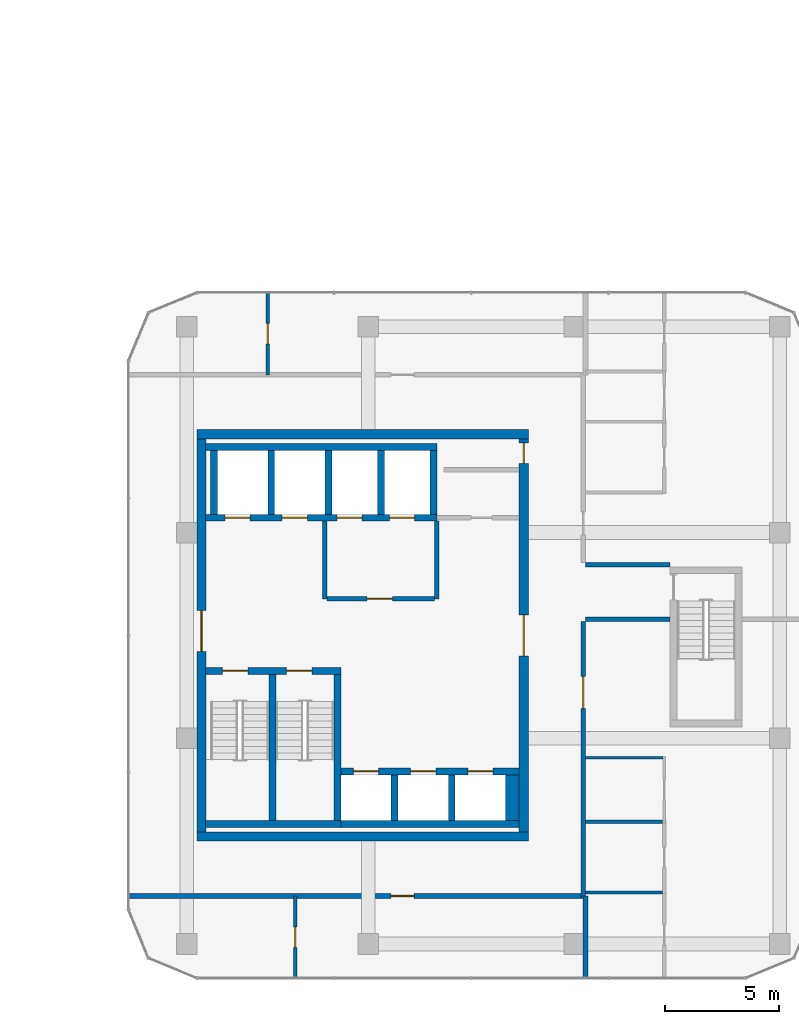
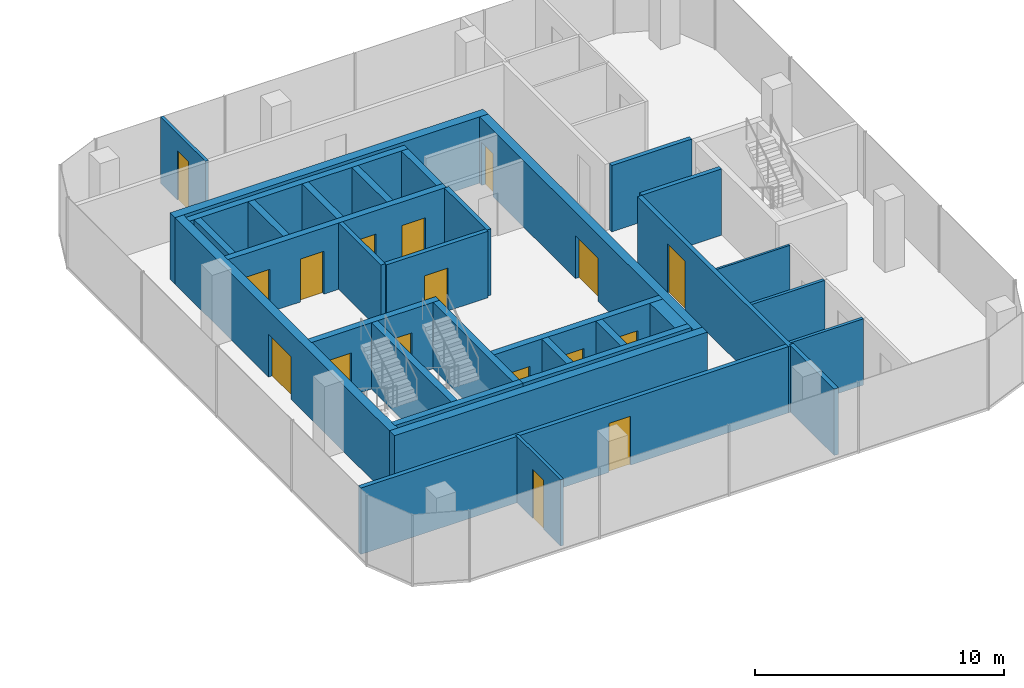
# One storey, part 17 of 22: 33 walls, 17 doors, 17 openings.
"""IFC4 building model written with IfcOpenShell, lengths in metres."""

from ifc_helpers import new_model, si_unit, direction, frame, frame_2d, origin, place, context, subcontext, project, spatial, rectangle, extrude, material, layer, layer_set, type_object, element, fill, save


model = new_model("IFC4")

# Units and contexts
model_context = context("Model", 3, precision=1e-05, world=origin(), true_north=direction((0.0, 1.0)))
body_context = subcontext(model_context, "Body", "Model", "MODEL_VIEW")
ifc_project = project(units=[si_unit("LENGTHUNIT", "METRE"), si_unit("AREAUNIT", "SQUARE_METRE"), si_unit("VOLUMEUNIT", "CUBIC_METRE"), si_unit("PLANEANGLEUNIT", "RADIAN"), si_unit("MASSUNIT", "GRAM", prefix="KILO")], contexts=[model_context])

# Site, building, storey
site_placement = place(None, origin())
site = spatial("IfcSite", under=ifc_project, at=site_placement, CompositionType="ELEMENT")
building_placement = place(site_placement, origin())
building = spatial("IfcBuilding", under=site, at=building_placement, Name="Plateau Cross Towers", CompositionType="ELEMENT")
storey_placement = place(building_placement, frame((0.0, 0.0, 99.300048828125)))
storey = spatial("IfcBuildingStorey", under=building, at=storey_placement, Name="L25", CompositionType="ELEMENT", Elevation=99.300048828125)

# Wall
ifc_material_1 = material(Name="Concrete block, plastered both sides", Category="concrete")
ifc_layer_1 = layer(ifc_material_1, 0.199951171875)
ifc_layer_set_1 = layer_set([ifc_layer_1], Name="Concrete block, plastered both sides")
wall_type_1 = type_object("IfcWallType", Name="Core partition 200", PredefinedType="PARTITIONING", material=ifc_layer_set_1)
wall_1_placement = place(storey_placement, frame((80.60009765625, 10.60009765625, 0.0), z_axis=(0.0, 0.0, 1.0), x_axis=(0.0, 1.0, 0.0)))
element("IfcWall", 1, at=wall_1_placement, inside=storey, type_object=wall_type_1, Name="Core partition", PredefinedType="PARTITIONING", context=body_context, shape_type="SweptSolid", body=[
    extrude(rectangle(XDim=3.39990234375, YDim=0.199951171875, at=frame_2d((1.699951171875, 0.0))), origin(), (0.0, 0.0, 1.0), 3.25),
])

# Wall, opening, door
wall_2_placement = place(storey_placement, frame((80.699951171875, 10.60009765625, 0.0), z_axis=(0.0, 0.0, 1.0), x_axis=(1.0, 0.0, 0.0)))
wall_2 = element("IfcWall", 2, at=wall_2_placement, inside=storey, type_object=wall_type_1, Name="Core partition", PredefinedType="PARTITIONING", context=body_context, shape_type="SweptSolid", body=[
    extrude(rectangle(XDim=4.699951171875, YDim=0.199951171875, at=frame_2d((2.35009765625, 0.0))), origin(), (0.0, 0.0, 1.0), 3.25),
])
opening_1_placement = place(wall_2_placement, frame((1.75, 0.0, 0.0)))
opening_1 = element("IfcOpeningElement", 3, at=opening_1_placement, cuts=wall_2, Name="Opening FFD", PredefinedType="OPENING", context=body_context, shape_type="SweptSolid", body=[
    extrude(rectangle(XDim=1.10009765625, YDim=2.10009765625, at=frame_2d((0.550048828125, 1.050048828125))), frame((0.0, 0.10986328125, 0.0), z_axis=(0.0, -1.0, 0.0), x_axis=(1.0, 0.0, 0.0)), (0.0, 0.0, 1.0), 0.219970703125),
])
ifc_material_2 = material(Name="Steel, fire-resisting leaf", Category="steel")
door_type_1 = type_object("IfcDoorType", Name="Firefighting lobby door 1100", OperationType="NOTDEFINED", PredefinedType="DOOR", material=ifc_material_2)
door_1_placement = place(opening_1_placement, origin())
door_1 = element("IfcDoor", 4, at=door_1_placement, inside=storey, type_object=door_type_1, Name="Firefighting lobby door FFD", OperationType="SINGLE_SWING_LEFT", OverallHeight=2.10009765625, OverallWidth=1.10009765625, PredefinedType="DOOR", context=body_context, shape_type="SweptSolid", body=[
    extrude(rectangle(XDim=1.10009765625, YDim=2.10009765625, at=frame_2d((0.550048828125, 1.050048828125))), frame((0.0, 0.02490234375, 0.0), z_axis=(0.0, -1.0, 0.0), x_axis=(1.0, 0.0, 0.0)), (0.0, 0.0, 1.0), 0.050048828125),
])
fill(opening_1, door_1)

# Walls
wall_3_placement = place(storey_placement, frame((85.5, 10.60009765625, 0.0), z_axis=(0.0, 0.0, 1.0), x_axis=(0.0, 1.0, 0.0)))
element("IfcWall", 5, at=wall_3_placement, inside=storey, type_object=wall_type_1, Name="Core partition", PredefinedType="PARTITIONING", context=body_context, shape_type="SweptSolid", body=[
    extrude(rectangle(XDim=3.39990234375, YDim=0.199951171875, at=frame_2d((1.699951171875, 0.0))), origin(), (0.0, 0.0, 1.0), 3.25),
])
ifc_material_3 = material(Name="Concrete C60/75", Category="concrete")
ifc_layer_2 = layer(ifc_material_3, 0.300048828125)
ifc_layer_set_2 = layer_set([ifc_layer_2], Name="Concrete C60/75")
wall_type_2 = type_object("IfcWallType", Name="Core shaft wall 300", PredefinedType="SHEAR", material=ifc_layer_set_2)
wall_4_placement = place(storey_placement, frame((75.3798828125, 0.75, 0.0), z_axis=(0.0, 0.0, 1.0), x_axis=(1.0, 0.0, 0.0)))
element("IfcWall", 6, at=wall_4_placement, inside=storey, type_object=wall_type_2, Name="B-sb-stS@L25", PredefinedType="SHEAR", context=body_context, shape_type="SweptSolid", body=[
    extrude(rectangle(XDim=5.920166015625, YDim=0.300048828125, at=frame_2d((2.9599609375, 0.0))), origin(), (0.0, 0.0, 1.0), 3.25),
])

# Wall, openings, doors
wall_5_placement = place(storey_placement, frame((75.3798828125, 7.449951171875, 0.0), z_axis=(0.0, 0.0, 1.0), x_axis=(1.0, 0.0, 0.0)))
wall_5 = element("IfcWall", 7, at=wall_5_placement, inside=storey, type_object=wall_type_2, Name="B-sb-stN@L25", PredefinedType="SHEAR", context=body_context, shape_type="SweptSolid", body=[
    extrude(rectangle(XDim=5.920166015625, YDim=0.300048828125, at=frame_2d((2.9599609375, 0.0))), origin(), (0.0, 0.0, 1.0), 3.25),
])
opening_2_placement = place(wall_5_placement, frame((0.75, 0.0, 0.0)))
opening_2 = element("IfcOpeningElement", 8, at=opening_2_placement, cuts=wall_5, Name="Opening SD", PredefinedType="OPENING", context=body_context, shape_type="SweptSolid", body=[
    extrude(rectangle(XDim=1.10009765625, YDim=2.10009765625, at=frame_2d((0.550048828125, 1.050048828125))), frame((0.0, 0.159912109375, 0.0), z_axis=(0.0, -1.0, 0.0), x_axis=(1.0, 0.0, 0.0)), (0.0, 0.0, 1.0), 0.320068359375),
])
opening_3_placement = place(wall_5_placement, frame((3.550048828125, 0.0, 0.0)))
opening_3 = element("IfcOpeningElement", 9, at=opening_3_placement, cuts=wall_5, Name="Opening SD", PredefinedType="OPENING", context=body_context, shape_type="SweptSolid", body=[
    extrude(rectangle(XDim=1.10009765625, YDim=2.10009765625, at=frame_2d((0.550048828125, 1.050048828125))), frame((0.0, 0.159912109375, 0.0), z_axis=(0.0, -1.0, 0.0), x_axis=(1.0, 0.0, 0.0)), (0.0, 0.0, 1.0), 0.320068359375),
])
door_type_2 = type_object("IfcDoorType", Name="Stair door 1100", OperationType="NOTDEFINED", PredefinedType="DOOR", material=ifc_material_2)
door_2_placement = place(opening_2_placement, origin())
door_2 = element("IfcDoor", 10, at=door_2_placement, inside=storey, type_object=door_type_2, Name="Stair door SD", OperationType="SINGLE_SWING_RIGHT", OverallHeight=2.10009765625, OverallWidth=1.10009765625, PredefinedType="DOOR", context=body_context, shape_type="SweptSolid", body=[
    extrude(rectangle(XDim=1.10009765625, YDim=2.10009765625, at=frame_2d((0.550048828125, 1.050048828125))), frame((0.0, 0.02490234375, 0.0), z_axis=(0.0, -1.0, 0.0), x_axis=(1.0, 0.0, 0.0)), (0.0, 0.0, 1.0), 0.050048828125),
])
fill(opening_2, door_2)
door_3_placement = place(opening_3_placement, origin())
door_3 = element("IfcDoor", 11, at=door_3_placement, inside=storey, type_object=door_type_2, Name="Stair door SD", OperationType="SINGLE_SWING_LEFT", OverallHeight=2.10009765625, OverallWidth=1.10009765625, PredefinedType="DOOR", context=body_context, shape_type="SweptSolid", body=[
    extrude(rectangle(XDim=1.10009765625, YDim=2.10009765625, at=frame_2d((0.550048828125, 1.050048828125))), frame((0.0, 0.02490234375, 0.0), z_axis=(0.0, -1.0, 0.0), x_axis=(1.0, 0.0, 0.0)), (0.0, 0.0, 1.0), 0.050048828125),
])
fill(opening_3, door_3)

# Walls
for number, where, z_axis, x_axis, name in (
    (12, (78.300048828125, 0.89990234375, 0.0), (0.0, 0.0, 1.0), (0.0, 1.0, 0.0), "B-sb-st1@L25"),
    (13, (81.14990234375, 0.89990234375, 0.0), (0.0, 0.0, 1.0), (0.0, 1.0, 0.0), "B-sb-st2@L25"),
):
    element("IfcWall", number, at=place(storey_placement, frame(where, z_axis=z_axis, x_axis=x_axis)), inside=storey, type_object=wall_type_2, Name=name, PredefinedType="SHEAR", context=body_context, shape_type="SweptSolid", body=[
        extrude(rectangle(XDim=6.400146484375, YDim=0.300048828125, at=frame_2d((3.2001953125, 0.0))), origin(), (0.0, 0.0, 1.0), 3.25),
    ])
wall_6_placement = place(storey_placement, frame((81.300048828125, 0.75, 0.0), z_axis=(0.0, 0.0, 1.0), x_axis=(1.0, 0.0, 0.0)))
element("IfcWall", 14, at=wall_6_placement, inside=storey, type_object=wall_type_2, Name="B-sb-back@L25", PredefinedType="SHEAR", context=body_context, shape_type="SweptSolid", body=[
    extrude(rectangle(XDim=7.800048828125, YDim=0.300048828125, at=frame_2d((3.89990234375, 0.0))), origin(), (0.0, 0.0, 1.0), 3.25),
])
for number, where, z_axis, x_axis, name in (
    (15, (83.64990234375, 0.89990234375, 0.0), (0.0, 0.0, 1.0), (0.0, 1.0, 0.0), "B-sb-v1@L25"),
    (16, (86.14990234375, 0.89990234375, 0.0), (0.0, 0.0, 1.0), (0.0, 1.0, 0.0), "B-sb-v2@L25"),
):
    element("IfcWall", number, at=place(storey_placement, frame(where, z_axis=z_axis, x_axis=x_axis)), inside=storey, type_object=wall_type_2, Name=name, PredefinedType="SHEAR", context=body_context, shape_type="SweptSolid", body=[
        extrude(rectangle(XDim=2.0, YDim=0.300048828125, at=frame_2d((1.0, 0.0))), origin(), (0.0, 0.0, 1.0), 3.25),
    ])

# Wall, openings, doors
wall_7_placement = place(storey_placement, frame((81.300048828125, 3.050048828125, 0.0), z_axis=(0.0, 0.0, 1.0), x_axis=(1.0, 0.0, 0.0)))
wall_7 = element("IfcWall", 17, at=wall_7_placement, inside=storey, type_object=wall_type_2, Name="B-sb-front@L25", PredefinedType="SHEAR", context=body_context, shape_type="SweptSolid", body=[
    extrude(rectangle(XDim=7.800048828125, YDim=0.300048828125, at=frame_2d((3.89990234375, 0.0))), origin(), (0.0, 0.0, 1.0), 3.25),
])
opening_4_placement = place(wall_7_placement, frame((0.550048828125, 0.0, 0.0)))
opening_4 = element("IfcOpeningElement", 18, at=opening_4_placement, cuts=wall_7, Name="Opening LD", PredefinedType="OPENING", context=body_context, shape_type="SweptSolid", body=[
    extrude(rectangle(XDim=1.10009765625, YDim=2.10009765625, at=frame_2d((0.550048828125, 1.050048828125))), frame((0.0, 0.159912109375, 0.0), z_axis=(0.0, -1.0, 0.0), x_axis=(1.0, 0.0, 0.0)), (0.0, 0.0, 1.0), 0.320068359375),
])
opening_5_placement = place(wall_7_placement, frame((3.050048828125, 0.0, 0.0)))
opening_5 = element("IfcOpeningElement", 19, at=opening_5_placement, cuts=wall_7, Name="Opening LD", PredefinedType="OPENING", context=body_context, shape_type="SweptSolid", body=[
    extrude(rectangle(XDim=1.10009765625, YDim=2.10009765625, at=frame_2d((0.550048828125, 1.050048828125))), frame((0.0, 0.159912109375, 0.0), z_axis=(0.0, -1.0, 0.0), x_axis=(1.0, 0.0, 0.0)), (0.0, 0.0, 1.0), 0.320068359375),
])
opening_6_placement = place(wall_7_placement, frame((5.550048828125, 0.0, 0.0)))
opening_6 = element("IfcOpeningElement", 20, at=opening_6_placement, cuts=wall_7, Name="Opening LD", PredefinedType="OPENING", context=body_context, shape_type="SweptSolid", body=[
    extrude(rectangle(XDim=1.10009765625, YDim=2.10009765625, at=frame_2d((0.550048828125, 1.050048828125))), frame((0.0, 0.159912109375, 0.0), z_axis=(0.0, -1.0, 0.0), x_axis=(1.0, 0.0, 0.0)), (0.0, 0.0, 1.0), 0.320068359375),
])
ifc_material_4 = material(Name="Stainless steel, fire-resisting sliding leaves", Category="steel")
door_type_3 = type_object("IfcDoorType", Name="Lift landing door 1100", OperationType="NOTDEFINED", PredefinedType="DOOR", material=ifc_material_4)
door_4_placement = place(opening_4_placement, origin())
door_4 = element("IfcDoor", 21, at=door_4_placement, inside=storey, type_object=door_type_3, Name="Lift landing door LD", OperationType="DOUBLE_DOOR_SLIDING", OverallHeight=2.10009765625, OverallWidth=1.10009765625, PredefinedType="DOOR", context=body_context, shape_type="SweptSolid", body=[
    extrude(rectangle(XDim=1.10009765625, YDim=2.10009765625, at=frame_2d((0.550048828125, 1.050048828125))), frame((0.0, 0.02490234375, 0.0), z_axis=(0.0, -1.0, 0.0), x_axis=(1.0, 0.0, 0.0)), (0.0, 0.0, 1.0), 0.050048828125),
])
fill(opening_4, door_4)
door_5_placement = place(opening_5_placement, origin())
door_5 = element("IfcDoor", 22, at=door_5_placement, inside=storey, type_object=door_type_3, Name="Lift landing door LD", OperationType="DOUBLE_DOOR_SLIDING", OverallHeight=2.10009765625, OverallWidth=1.10009765625, PredefinedType="DOOR", context=body_context, shape_type="SweptSolid", body=[
    extrude(rectangle(XDim=1.10009765625, YDim=2.10009765625, at=frame_2d((0.550048828125, 1.050048828125))), frame((0.0, 0.02490234375, 0.0), z_axis=(0.0, -1.0, 0.0), x_axis=(1.0, 0.0, 0.0)), (0.0, 0.0, 1.0), 0.050048828125),
])
fill(opening_5, door_5)
door_6_placement = place(opening_6_placement, origin())
door_6 = element("IfcDoor", 23, at=door_6_placement, inside=storey, type_object=door_type_3, Name="Lift landing door LD", OperationType="DOUBLE_DOOR_SLIDING", OverallHeight=2.10009765625, OverallWidth=1.10009765625, PredefinedType="DOOR", context=body_context, shape_type="SweptSolid", body=[
    extrude(rectangle(XDim=1.10009765625, YDim=2.10009765625, at=frame_2d((0.550048828125, 1.050048828125))), frame((0.0, 0.02490234375, 0.0), z_axis=(0.0, -1.0, 0.0), x_axis=(1.0, 0.0, 0.0)), (0.0, 0.0, 1.0), 0.050048828125),
])
fill(opening_6, door_6)

# Wall
wall_8_placement = place(storey_placement, frame((75.3798828125, 17.25, 0.0), z_axis=(0.0, 0.0, 1.0), x_axis=(1.0, 0.0, 0.0)))
element("IfcWall", 24, at=wall_8_placement, inside=storey, type_object=wall_type_2, Name="B-nb-back@L25", PredefinedType="SHEAR", context=body_context, shape_type="SweptSolid", body=[
    extrude(rectangle(XDim=10.1201171875, YDim=0.300048828125, at=frame_2d((5.06005859375, 0.0))), origin(), (0.0, 0.0, 1.0), 3.25),
])

# Wall, openings, doors
wall_9_placement = place(storey_placement, frame((75.3798828125, 14.14990234375, 0.0), z_axis=(0.0, 0.0, 1.0), x_axis=(1.0, 0.0, 0.0)))
wall_9 = element("IfcWall", 25, at=wall_9_placement, inside=storey, type_object=wall_type_2, Name="B-nb-front@L25", PredefinedType="SHEAR", context=body_context, shape_type="SweptSolid", body=[
    extrude(rectangle(XDim=10.1201171875, YDim=0.300048828125, at=frame_2d((5.06005859375, 0.0))), origin(), (0.0, 0.0, 1.0), 3.25),
])
opening_7_placement = place(wall_9_placement, frame((0.85009765625, 0.0, 0.0)))
opening_7 = element("IfcOpeningElement", 26, at=opening_7_placement, cuts=wall_9, Name="Opening LD", PredefinedType="OPENING", context=body_context, shape_type="SweptSolid", body=[
    extrude(rectangle(XDim=1.10009765625, YDim=2.10009765625, at=frame_2d((0.550048828125, 1.050048828125))), frame((0.0, 0.159912109375, 0.0), z_axis=(0.0, -1.0, 0.0), x_axis=(1.0, 0.0, 0.0)), (0.0, 0.0, 1.0), 0.320068359375),
])
opening_8_placement = place(wall_9_placement, frame((3.35009765625, 0.0, 0.0)))
opening_8 = element("IfcOpeningElement", 27, at=opening_8_placement, cuts=wall_9, Name="Opening LD", PredefinedType="OPENING", context=body_context, shape_type="SweptSolid", body=[
    extrude(rectangle(XDim=1.10009765625, YDim=2.10009765625, at=frame_2d((0.550048828125, 1.050048828125))), frame((0.0, 0.159912109375, 0.0), z_axis=(0.0, -1.0, 0.0), x_axis=(1.0, 0.0, 0.0)), (0.0, 0.0, 1.0), 0.320068359375),
])
opening_9_placement = place(wall_9_placement, frame((5.75, 0.0, 0.0)))
opening_9 = element("IfcOpeningElement", 28, at=opening_9_placement, cuts=wall_9, Name="Opening LD", PredefinedType="OPENING", context=body_context, shape_type="SweptSolid", body=[
    extrude(rectangle(XDim=1.10009765625, YDim=2.10009765625, at=frame_2d((0.550048828125, 1.050048828125))), frame((0.0, 0.159912109375, 0.0), z_axis=(0.0, -1.0, 0.0), x_axis=(1.0, 0.0, 0.0)), (0.0, 0.0, 1.0), 0.320068359375),
])
opening_10_placement = place(wall_9_placement, frame((8.050048828125, 0.0, 0.0)))
opening_10 = element("IfcOpeningElement", 29, at=opening_10_placement, cuts=wall_9, Name="Opening LD", PredefinedType="OPENING", context=body_context, shape_type="SweptSolid", body=[
    extrude(rectangle(XDim=1.10009765625, YDim=2.10009765625, at=frame_2d((0.550048828125, 1.050048828125))), frame((0.0, 0.159912109375, 0.0), z_axis=(0.0, -1.0, 0.0), x_axis=(1.0, 0.0, 0.0)), (0.0, 0.0, 1.0), 0.320068359375),
])
door_7_placement = place(opening_7_placement, origin())
door_7 = element("IfcDoor", 30, at=door_7_placement, inside=storey, type_object=door_type_3, Name="Lift landing door LD", OperationType="DOUBLE_DOOR_SLIDING", OverallHeight=2.10009765625, OverallWidth=1.10009765625, PredefinedType="DOOR", context=body_context, shape_type="SweptSolid", body=[
    extrude(rectangle(XDim=1.10009765625, YDim=2.10009765625, at=frame_2d((0.550048828125, 1.050048828125))), frame((0.0, 0.02490234375, 0.0), z_axis=(0.0, -1.0, 0.0), x_axis=(1.0, 0.0, 0.0)), (0.0, 0.0, 1.0), 0.050048828125),
])
fill(opening_7, door_7)
door_8_placement = place(opening_8_placement, origin())
door_8 = element("IfcDoor", 31, at=door_8_placement, inside=storey, type_object=door_type_3, Name="Lift landing door LD", OperationType="DOUBLE_DOOR_SLIDING", OverallHeight=2.10009765625, OverallWidth=1.10009765625, PredefinedType="DOOR", context=body_context, shape_type="SweptSolid", body=[
    extrude(rectangle(XDim=1.10009765625, YDim=2.10009765625, at=frame_2d((0.550048828125, 1.050048828125))), frame((0.0, 0.02490234375, 0.0), z_axis=(0.0, -1.0, 0.0), x_axis=(1.0, 0.0, 0.0)), (0.0, 0.0, 1.0), 0.050048828125),
])
fill(opening_8, door_8)
door_9_placement = place(opening_9_placement, origin())
door_9 = element("IfcDoor", 32, at=door_9_placement, inside=storey, type_object=door_type_3, Name="Lift landing door LD", OperationType="DOUBLE_DOOR_SLIDING", OverallHeight=2.10009765625, OverallWidth=1.10009765625, PredefinedType="DOOR", context=body_context, shape_type="SweptSolid", body=[
    extrude(rectangle(XDim=1.10009765625, YDim=2.10009765625, at=frame_2d((0.550048828125, 1.050048828125))), frame((0.0, 0.02490234375, 0.0), z_axis=(0.0, -1.0, 0.0), x_axis=(1.0, 0.0, 0.0)), (0.0, 0.0, 1.0), 0.050048828125),
])
fill(opening_9, door_9)
door_10_placement = place(opening_10_placement, origin())
door_10 = element("IfcDoor", 33, at=door_10_placement, inside=storey, type_object=door_type_3, Name="Lift landing door LD", OperationType="DOUBLE_DOOR_SLIDING", OverallHeight=2.10009765625, OverallWidth=1.10009765625, PredefinedType="DOOR", context=body_context, shape_type="SweptSolid", body=[
    extrude(rectangle(XDim=1.10009765625, YDim=2.10009765625, at=frame_2d((0.550048828125, 1.050048828125))), frame((0.0, 0.02490234375, 0.0), z_axis=(0.0, -1.0, 0.0), x_axis=(1.0, 0.0, 0.0)), (0.0, 0.0, 1.0), 0.050048828125),
])
fill(opening_10, door_10)

# Walls
for number, where, z_axis, x_axis, name in (
    (34, (75.75, 14.300048828125, 0.0), (0.0, 0.0, 1.0), (0.0, 1.0, 0.0), "B-nb-v0@L25"),
    (35, (78.25, 14.300048828125, 0.0), (0.0, 0.0, 1.0), (0.0, 1.0, 0.0), "B-nb-v1@L25"),
    (36, (80.75, 14.300048828125, 0.0), (0.0, 0.0, 1.0), (0.0, 1.0, 0.0), "B-nb-v2@L25"),
    (37, (83.050048828125, 14.300048828125, 0.0), (0.0, 0.0, 1.0), (0.0, 1.0, 0.0), "B-nb-v3@L25"),
    (38, (85.35009765625, 14.300048828125, 0.0), (0.0, 0.0, 1.0), (0.0, 1.0, 0.0), "B-nb-v4@L25"),
):
    element("IfcWall", number, at=place(storey_placement, frame(where, z_axis=z_axis, x_axis=x_axis)), inside=storey, type_object=wall_type_2, Name=name, PredefinedType="SHEAR", context=body_context, shape_type="SweptSolid", body=[
        extrude(rectangle(XDim=2.800048828125, YDim=0.300048828125, at=frame_2d((1.39990234375, 0.0))), origin(), (0.0, 0.0, 1.0), 3.25),
    ])
ifc_layer_3 = layer(ifc_material_3, 0.60009765625)
ifc_layer_set_3 = layer_set([ifc_layer_3], Name="Concrete C60/75")
wall_type_3 = type_object("IfcWallType", Name="Core shaft wall 600", PredefinedType="SHEAR", material=ifc_layer_set_3)
wall_10_placement = place(storey_placement, frame((88.800048828125, 0.89990234375, 0.0), z_axis=(0.0, 0.0, 1.0), x_axis=(0.0, 1.0, 0.0)))
element("IfcWall", 39, at=wall_10_placement, inside=storey, type_object=wall_type_3, Name="B-sb-v3@L25", PredefinedType="SHEAR", context=body_context, shape_type="SweptSolid", body=[
    extrude(rectangle(XDim=2.0, YDim=0.60009765625, at=frame_2d((1.0, 0.0))), origin(), (0.0, 0.0, 1.0), 3.25),
])
ifc_layer_4 = layer(ifc_material_3, 0.39990234375)
ifc_layer_set_4 = layer_set([ifc_layer_4], Name="Concrete C60/75")
wall_type_4 = type_object("IfcWallType", Name="Core shell wall 400", PredefinedType="SHEAR", material=ifc_layer_set_4)
for number, where, z_axis, x_axis, name in (
    (40, (75.0, 0.199951171875, 0.0), (0.0, 0.0, 1.0), (1.0, 0.0, 0.0), "B-core-S@L25"),
    (41, (75.0, 17.800048828125, 0.0), (0.0, 0.0, 1.0), (1.0, 0.0, 0.0), "B-core-N@L25"),
):
    element("IfcWall", number, at=place(storey_placement, frame(where, z_axis=z_axis, x_axis=x_axis)), inside=storey, type_object=wall_type_4, Name=name, PredefinedType="SHEAR", context=body_context, shape_type="SweptSolid", body=[
        extrude(rectangle(XDim=14.5, YDim=0.39990234375, at=frame_2d((7.25, 0.0))), origin(), (0.0, 0.0, 1.0), 3.25),
    ])

# Wall, opening, door
wall_11_placement = place(storey_placement, frame((75.199951171875, 0.39990234375, 0.0), z_axis=(0.0, 0.0, 1.0), x_axis=(0.0, 1.0, 0.0)))
wall_11 = element("IfcWall", 42, at=wall_11_placement, inside=storey, type_object=wall_type_4, Name="B-core-W@L25", PredefinedType="SHEAR", context=body_context, shape_type="SweptSolid", body=[
    extrude(rectangle(XDim=17.2001953125, YDim=0.39990234375, at=frame_2d((8.60009765625, 0.0))), origin(), (0.0, 0.0, 1.0), 3.25),
])
opening_11_placement = place(wall_11_placement, frame((7.89990234375, 0.0, 0.0)))
opening_11 = element("IfcOpeningElement", 43, at=opening_11_placement, cuts=wall_11, Name="Opening CD", PredefinedType="OPENING", context=body_context, shape_type="SweptSolid", body=[
    extrude(rectangle(XDim=1.800048828125, YDim=2.10009765625, at=frame_2d((0.89990234375, 1.050048828125))), frame((0.0, 0.2099609375, 0.0), z_axis=(0.0, -1.0, 0.0), x_axis=(1.0, 0.0, 0.0)), (0.0, 0.0, 1.0), 0.419921875),
])
ifc_material_5 = material(Name="Steel, fire-resisting leaves", Category="steel")
door_type_4 = type_object("IfcDoorType", Name="Corridor door pair 1800", OperationType="NOTDEFINED", PredefinedType="DOOR", material=ifc_material_5)
door_11_placement = place(opening_11_placement, origin())
door_11 = element("IfcDoor", 44, at=door_11_placement, inside=storey, type_object=door_type_4, Name="Corridor door pair CD", OperationType="DOUBLE_DOOR_SINGLE_SWING", OverallHeight=2.10009765625, OverallWidth=1.800048828125, PredefinedType="DOOR", context=body_context, shape_type="SweptSolid", body=[
    extrude(rectangle(XDim=1.800048828125, YDim=2.10009765625, at=frame_2d((0.89990234375, 1.050048828125))), frame((0.0, 0.02490234375, 0.0), z_axis=(0.0, -1.0, 0.0), x_axis=(1.0, 0.0, 0.0)), (0.0, 0.0, 1.0), 0.050048828125),
])
fill(opening_11, door_11)

# Wall, openings, doors
wall_12_placement = place(storey_placement, frame((89.300048828125, 0.39990234375, 0.0), z_axis=(0.0, 0.0, 1.0), x_axis=(0.0, 1.0, 0.0)))
wall_12 = element("IfcWall", 45, at=wall_12_placement, inside=storey, type_object=wall_type_4, Name="B-core-E@L25", PredefinedType="SHEAR", context=body_context, shape_type="SweptSolid", body=[
    extrude(rectangle(XDim=17.2001953125, YDim=0.39990234375, at=frame_2d((8.60009765625, 0.0))), origin(), (0.0, 0.0, 1.0), 3.25),
])
opening_12_placement = place(wall_12_placement, frame((7.699951171875, 0.0, 0.0)))
opening_12 = element("IfcOpeningElement", 46, at=opening_12_placement, cuts=wall_12, Name="Opening CD", PredefinedType="OPENING", context=body_context, shape_type="SweptSolid", body=[
    extrude(rectangle(XDim=1.800048828125, YDim=2.10009765625, at=frame_2d((0.89990234375, 1.050048828125))), frame((0.0, 0.2099609375, 0.0), z_axis=(0.0, -1.0, 0.0), x_axis=(1.0, 0.0, 0.0)), (0.0, 0.0, 1.0), 0.419921875),
])
opening_13_placement = place(wall_12_placement, frame((16.125, 0.0, 0.0)))
opening_13 = element("IfcOpeningElement", 47, at=opening_13_placement, cuts=wall_12, Name="Opening RD2", PredefinedType="OPENING", context=body_context, shape_type="SweptSolid", body=[
    extrude(rectangle(XDim=0.89990234375, YDim=2.10009765625, at=frame_2d((0.449951171875, 1.050048828125))), frame((0.0, 0.2099609375, 0.0), z_axis=(0.0, -1.0, 0.0), x_axis=(1.0, 0.0, 0.0)), (0.0, 0.0, 1.0), 0.419921875),
])
door_type_5 = type_object("IfcDoorType", Name="Core riser door 900", OperationType="NOTDEFINED", PredefinedType="DOOR", material=ifc_material_2)
door_12_placement = place(opening_13_placement, origin())
door_12 = element("IfcDoor", 48, at=door_12_placement, inside=storey, type_object=door_type_5, Name="Core riser door RD2", OperationType="SINGLE_SWING_LEFT", OverallHeight=2.10009765625, OverallWidth=0.89990234375, PredefinedType="DOOR", context=body_context, shape_type="SweptSolid", body=[
    extrude(rectangle(XDim=0.89990234375, YDim=2.10009765625, at=frame_2d((0.449951171875, 1.050048828125))), frame((0.0, 0.02490234375, 0.0), z_axis=(0.0, -1.0, 0.0), x_axis=(1.0, 0.0, 0.0)), (0.0, 0.0, 1.0), 0.050048828125),
])
fill(opening_13, door_12)
door_13_placement = place(opening_12_placement, origin())
door_13 = element("IfcDoor", 49, at=door_13_placement, inside=storey, type_object=door_type_4, Name="Corridor door pair CD", OperationType="DOUBLE_DOOR_SINGLE_SWING", OverallHeight=2.10009765625, OverallWidth=1.800048828125, PredefinedType="DOOR", context=body_context, shape_type="SweptSolid", body=[
    extrude(rectangle(XDim=1.800048828125, YDim=2.10009765625, at=frame_2d((0.89990234375, 1.050048828125))), frame((0.0, 0.02490234375, 0.0), z_axis=(0.0, -1.0, 0.0), x_axis=(1.0, 0.0, 0.0)), (0.0, 0.0, 1.0), 0.050048828125),
])
fill(opening_12, door_13)

# Wall, opening, door
ifc_material_6 = material(Name="Gypsum board on steel studs, two layers each side", Category="steel")
ifc_layer_5 = layer(ifc_material_6, 0.199951171875)
ifc_layer_set_5 = layer_set([ifc_layer_5], Name="Gypsum board on steel studs, two layers each side")
wall_type_5 = type_object("IfcWallType", Name="Corridor wall 200", PredefinedType="PARTITIONING", material=ifc_layer_set_5)
wall_13_placement = place(storey_placement, frame((72.0, -2.39990234375, 0.0), z_axis=(0.0, 0.0, 1.0), x_axis=(1.0, 0.0, 0.0)))
wall_13 = element("IfcWall", 50, at=wall_13_placement, inside=storey, type_object=wall_type_5, Name="Ring wall", PredefinedType="PARTITIONING", context=body_context, shape_type="SweptSolid", body=[
    extrude(rectangle(XDim=20.0, YDim=0.199951171875, at=frame_2d((10.0, 0.0))), origin(), (0.0, 0.0, 1.0), 3.25),
])
opening_14_placement = place(wall_13_placement, frame((11.5, 0.0, 0.0)))
opening_14 = element("IfcOpeningElement", 51, at=opening_14_placement, cuts=wall_13, Name="Opening D-BO10", PredefinedType="OPENING", context=body_context, shape_type="SweptSolid", body=[
    extrude(rectangle(XDim=1.0, YDim=2.39990234375, at=frame_2d((0.5, 1.199951171875))), frame((0.0, 0.10986328125, 0.0), z_axis=(0.0, -1.0, 0.0), x_axis=(1.0, 0.0, 0.0)), (0.0, 0.0, 1.0), 0.219970703125),
])
ifc_material_7 = material(Name="Fire-resisting glazed leaf in a steel frame", Category="steel")
door_type_6 = type_object("IfcDoorType", Name="Office glazed entrance leaf 1000x2400", OperationType="NOTDEFINED", PredefinedType="DOOR", material=ifc_material_7)
door_14_placement = place(opening_14_placement, origin())
door_14 = element("IfcDoor", 52, at=door_14_placement, inside=storey, type_object=door_type_6, Name="Door D-BO10", OperationType="SINGLE_SWING_LEFT", OverallHeight=2.39990234375, OverallWidth=1.0, PredefinedType="DOOR", context=body_context, shape_type="SweptSolid", body=[
    extrude(rectangle(XDim=1.0, YDim=2.39990234375, at=frame_2d((0.5, 1.199951171875))), frame((0.0, 0.02490234375, 0.0), z_axis=(0.0, -1.0, 0.0), x_axis=(1.0, 0.0, 0.0)), (0.0, 0.0, 1.0), 0.050048828125),
])
fill(opening_14, door_14)

wall_14_placement = place(storey_placement, frame((91.89990234375, -2.5, 0.0), z_axis=(0.0, 0.0, 1.0), x_axis=(0.0, 1.0, 0.0)))
wall_14 = element("IfcWall", 53, at=wall_14_placement, inside=storey, type_object=wall_type_5, Name="Ring wall", PredefinedType="PARTITIONING", context=body_context, shape_type="SweptSolid", body=[
    extrude(rectangle(XDim=12.10009765625, YDim=0.199951171875, at=frame_2d((6.050048828125, 0.0))), origin(), (0.0, 0.0, 1.0), 3.25),
])
opening_15_placement = place(wall_14_placement, frame((8.300048828125, 0.0, 0.0)))
opening_15 = element("IfcOpeningElement", 54, at=opening_15_placement, cuts=wall_14, Name="Opening D-BE14", PredefinedType="OPENING", context=body_context, shape_type="SweptSolid", body=[
    extrude(rectangle(XDim=1.39990234375, YDim=2.39990234375, at=frame_2d((0.699951171875, 1.199951171875))), frame((0.0, 0.10986328125, 0.0), z_axis=(0.0, -1.0, 0.0), x_axis=(1.0, 0.0, 0.0)), (0.0, 0.0, 1.0), 0.219970703125),
])
ifc_material_8 = material(Name="Timber, fire-resisting leaves", Category="wood")
door_type_7 = type_object("IfcDoorType", Name="Tenant entrance double-leaf 1400x2400", OperationType="NOTDEFINED", PredefinedType="DOOR", material=ifc_material_8)
door_15_placement = place(opening_15_placement, origin())
door_15 = element("IfcDoor", 55, at=door_15_placement, inside=storey, type_object=door_type_7, Name="Door D-BE14", OperationType="DOUBLE_DOOR_SINGLE_SWING", OverallHeight=2.39990234375, OverallWidth=1.39990234375, PredefinedType="DOOR", context=body_context, shape_type="SweptSolid", body=[
    extrude(rectangle(XDim=1.39990234375, YDim=2.39990234375, at=frame_2d((0.699951171875, 1.199951171875))), frame((0.0, 0.02490234375, 0.0), z_axis=(0.0, -1.0, 0.0), x_axis=(1.0, 0.0, 0.0)), (0.0, 0.0, 1.0), 0.050048828125),
])
fill(opening_15, door_15)

# Walls
for number, where, z_axis, x_axis, name in (
    (56, (92.0, 9.699951171875, 0.0), (0.0, 0.0, 1.0), (1.0, 0.0, 0.0), "Ring wall"),
    (57, (92.0, 12.10009765625, 0.0), (0.0, 0.0, 1.0), (1.0, 0.0, 0.0), "Ring wall"),
):
    element("IfcWall", number, at=place(storey_placement, frame(where, z_axis=z_axis, x_axis=x_axis)), inside=storey, type_object=wall_type_5, Name=name, PredefinedType="PARTITIONING", context=body_context, shape_type="SweptSolid", body=[
        extrude(rectangle(XDim=3.699951171875, YDim=0.199951171875, at=frame_2d((1.85009765625, 0.0))), origin(), (0.0, 0.0, 1.0), 3.25),
    ])

# Wall, opening, door
ifc_material_9 = material(Name="Gypsum board on staggered steel studs, mineral wool, two layers each side", Category="steel")
ifc_layer_6 = layer(ifc_material_9, 0.139892578125)
ifc_layer_set_6 = layer_set([ifc_layer_6], Name="Gypsum board on staggered steel studs, mineral wool, two layers each side")
wall_type_6 = type_object("IfcWallType", Name="Meeting room acoustic partition 140", PredefinedType="PARTITIONING", material=ifc_layer_set_6)
wall_15_placement = place(storey_placement, frame((79.300048828125, -6.0, 0.0), z_axis=(0.0, 0.0, 1.0), x_axis=(0.0, 1.0, 0.0)))
wall_15 = element("IfcWall", 58, at=wall_15_placement, inside=storey, type_object=wall_type_6, Name="Acoustic wall", PredefinedType="PARTITIONING", context=body_context, shape_type="SweptSolid", body=[
    extrude(rectangle(XDim=3.60009765625, YDim=0.139892578125, at=frame_2d((1.800048828125, 0.0))), origin(), (0.0, 0.0, 1.0), 3.25),
])
opening_16_placement = place(wall_15_placement, frame((1.35009765625, 0.0, 0.0)))
opening_16 = element("IfcOpeningElement", 59, at=opening_16_placement, cuts=wall_15, Name="Opening D-BM9", PredefinedType="OPENING", context=body_context, shape_type="SweptSolid", body=[
    extrude(rectangle(XDim=0.89990234375, YDim=2.39990234375, at=frame_2d((0.449951171875, 1.199951171875))), frame((0.0, 0.079833984375, 0.0), z_axis=(0.0, -1.0, 0.0), x_axis=(1.0, 0.0, 0.0)), (0.0, 0.0, 1.0), 0.159912109375),
])
ifc_material_10 = material(Name="Timber leaf, full height", Category="wood")
door_type_8 = type_object("IfcDoorType", Name="Meeting room door 900x2400", OperationType="NOTDEFINED", PredefinedType="DOOR", material=ifc_material_10)
door_16_placement = place(opening_16_placement, origin())
door_16 = element("IfcDoor", 60, at=door_16_placement, inside=storey, type_object=door_type_8, Name="Door D-BM9", OperationType="SINGLE_SWING_LEFT", OverallHeight=2.39990234375, OverallWidth=0.89990234375, PredefinedType="DOOR", context=body_context, shape_type="SweptSolid", body=[
    extrude(rectangle(XDim=0.89990234375, YDim=2.39990234375, at=frame_2d((0.449951171875, 1.199951171875))), frame((0.0, 0.02490234375, 0.0), z_axis=(0.0, -1.0, 0.0), x_axis=(1.0, 0.0, 0.0)), (0.0, 0.0, 1.0), 0.050048828125),
])
fill(opening_16, door_16)

# Walls
for number, where, z_axis, x_axis, name in (
    (61, (92.0, -2.25, 0.0), (0.0, 0.0, 1.0), (1.0, 0.0, 0.0), "Acoustic wall"),
    (62, (92.0, 0.85009765625, 0.0), (0.0, 0.0, 1.0), (1.0, 0.0, 0.0), "Acoustic wall"),
):
    element("IfcWall", number, at=place(storey_placement, frame(where, z_axis=z_axis, x_axis=x_axis)), inside=storey, type_object=wall_type_6, Name=name, PredefinedType="PARTITIONING", context=body_context, shape_type="SweptSolid", body=[
        extrude(rectangle(XDim=3.3798828125, YDim=0.139892578125, at=frame_2d((1.68994140625, 0.0))), origin(), (0.0, 0.0, 1.0), 3.25),
    ])

# Wall, opening, door
wall_16_placement = place(storey_placement, frame((78.10009765625, 20.39990234375, 0.0), z_axis=(0.0, 0.0, 1.0), x_axis=(0.0, 1.0, 0.0)))
wall_16 = element("IfcWall", 63, at=wall_16_placement, inside=storey, type_object=wall_type_6, Name="Acoustic wall", PredefinedType="PARTITIONING", context=body_context, shape_type="SweptSolid", body=[
    extrude(rectangle(XDim=3.60009765625, YDim=0.139892578125, at=frame_2d((1.800048828125, 0.0))), origin(), (0.0, 0.0, 1.0), 3.25),
])
opening_17_placement = place(wall_16_placement, frame((1.35009765625, 0.0, 0.0)))
opening_17 = element("IfcOpeningElement", 64, at=opening_17_placement, cuts=wall_16, Name="Opening D-BM9", PredefinedType="OPENING", context=body_context, shape_type="SweptSolid", body=[
    extrude(rectangle(XDim=0.89990234375, YDim=2.39990234375, at=frame_2d((0.449951171875, 1.199951171875))), frame((0.0, 0.079833984375, 0.0), z_axis=(0.0, -1.0, 0.0), x_axis=(1.0, 0.0, 0.0)), (0.0, 0.0, 1.0), 0.159912109375),
])
door_17_placement = place(opening_17_placement, origin())
door_17 = element("IfcDoor", 65, at=door_17_placement, inside=storey, type_object=door_type_8, Name="Door D-BM9", OperationType="SINGLE_SWING_LEFT", OverallHeight=2.39990234375, OverallWidth=0.89990234375, PredefinedType="DOOR", context=body_context, shape_type="SweptSolid", body=[
    extrude(rectangle(XDim=0.89990234375, YDim=2.39990234375, at=frame_2d((0.449951171875, 1.199951171875))), frame((0.0, 0.02490234375, 0.0), z_axis=(0.0, -1.0, 0.0), x_axis=(1.0, 0.0, 0.0)), (0.0, 0.0, 1.0), 0.050048828125),
])
fill(opening_17, door_17)

# Walls
ifc_material_11 = material(Name="Gypsum board on steel studs", Category="steel")
ifc_layer_7 = layer(ifc_material_11, 0.10009765625)
ifc_layer_set_7 = layer_set([ifc_layer_7], Name="Gypsum board on steel studs")
wall_type_7 = type_object("IfcWallType", Name="Office partition 100", PredefinedType="PARTITIONING", material=ifc_layer_set_7)
wall_17_placement = place(storey_placement, frame((92.0, 3.64990234375, 0.0), z_axis=(0.0, 0.0, 1.0), x_axis=(1.0, 0.0, 0.0)))
element("IfcWall", 66, at=wall_17_placement, inside=storey, type_object=wall_type_7, Name="Part wall", PredefinedType="PARTITIONING", context=body_context, shape_type="SweptSolid", body=[
    extrude(rectangle(XDim=3.39990234375, YDim=0.10009765625, at=frame_2d((1.699951171875, 0.0))), origin(), (0.0, 0.0, 1.0), 3.25),
])
ifc_layer_8 = layer(ifc_material_6, 0.199951171875)
ifc_layer_set_8 = layer_set([ifc_layer_8], Name="Gypsum board on steel studs, two layers each side")
wall_type_8 = type_object("IfcWallType", Name="Tenancy demising wall 200", PredefinedType="PARTITIONING", material=ifc_layer_set_8)
wall_18_placement = place(storey_placement, frame((92.0, -6.0, 0.0), z_axis=(0.0, 0.0, 1.0), x_axis=(0.0, 1.0, 0.0)))
element("IfcWall", 67, at=wall_18_placement, inside=storey, type_object=wall_type_8, Name="Demising wall", PredefinedType="PARTITIONING", context=body_context, shape_type="SweptSolid", body=[
    extrude(rectangle(XDim=3.60009765625, YDim=0.199951171875, at=frame_2d((1.800048828125, 0.0))), origin(), (0.0, 0.0, 1.0), 3.25),
])

save(model, "model.ifc")
